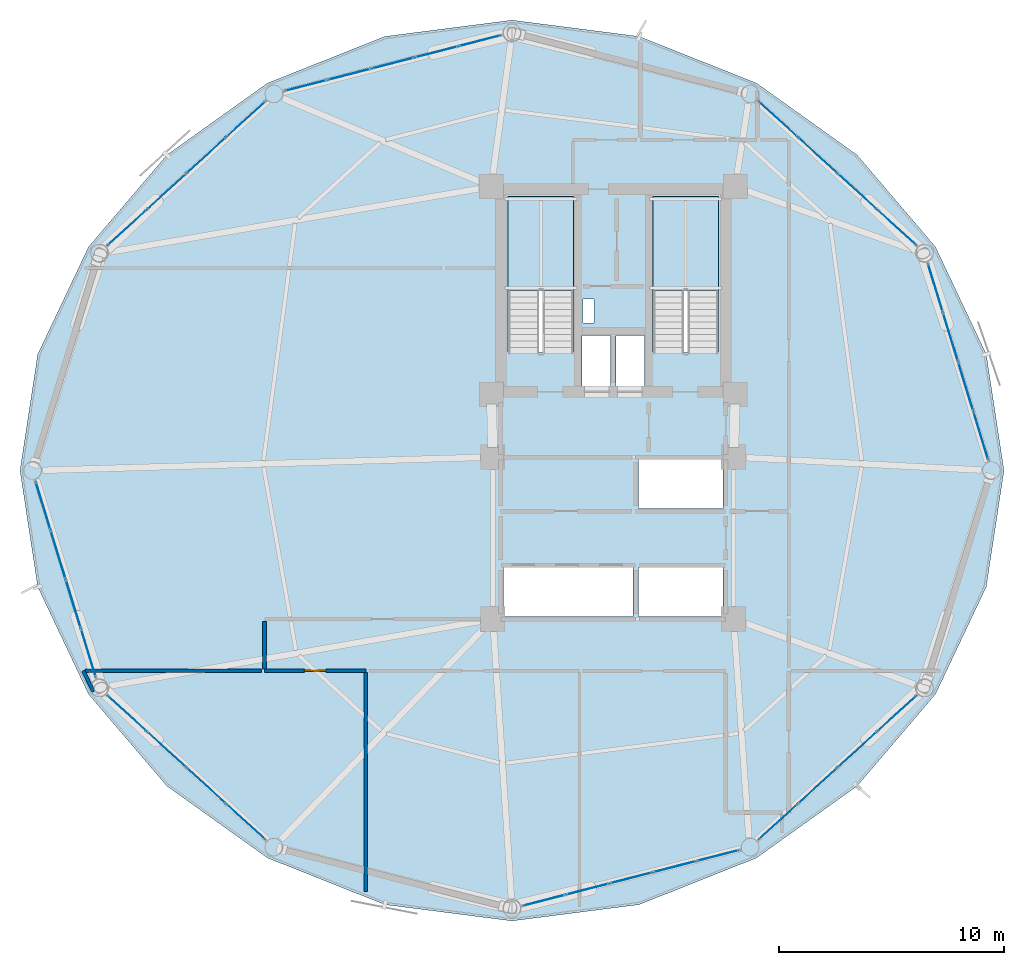
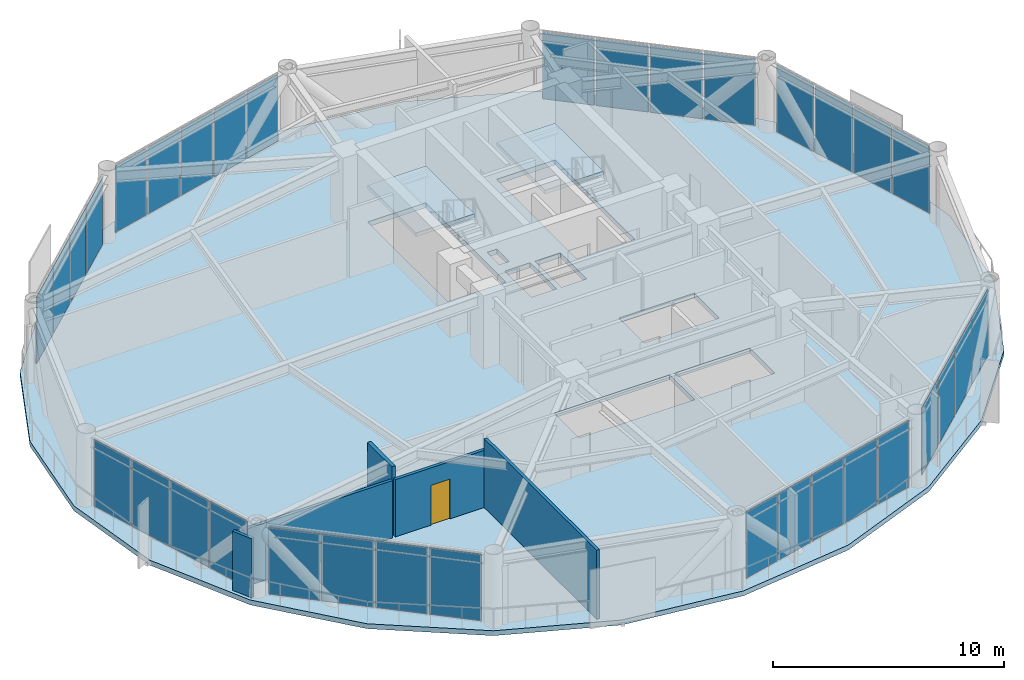
# One storey, part 19 of 24: 34 plates, 5 walls, 3 slabs, 1 door, 1 opening, 10 elements without a shape of their own.
"""IFC4 building model written with IfcOpenShell, lengths in metres."""

from ifc_helpers import new_model, si_unit, direction, frame, frame_2d, origin, origin_2d, place, context, subcontext, project, spatial, polyline, rectangle, outline, extrude, source, transform, mapped, material, layer, layer_set, type_object, type_shapes, element, fill, aggregate, save


model = new_model("IFC4")

# Units and contexts
model_context = context("Model", 3, precision=1e-05, world=origin(), true_north=direction((0.0, 1.0)))
body_context = subcontext(model_context, "Body", "Model", "MODEL_VIEW")
ifc_project = project(units=[si_unit("LENGTHUNIT", "METRE"), si_unit("AREAUNIT", "SQUARE_METRE"), si_unit("VOLUMEUNIT", "CUBIC_METRE"), si_unit("PLANEANGLEUNIT", "RADIAN"), si_unit("MASSUNIT", "GRAM", prefix="KILO")], contexts=[model_context])

# Site, building, storey
site_placement = place(None, origin())
site = spatial("IfcSite", under=ifc_project, at=site_placement, CompositionType="ELEMENT")
building_placement = place(site_placement, origin())
building = spatial("IfcBuilding", under=site, at=building_placement, Name="Varnakorn Sky Granary", CompositionType="ELEMENT")
storey_placement = place(building_placement, frame((0.0, 0.0, 118.800048828125)))
storey = spatial("IfcBuildingStorey", under=building, at=storey_placement, Name="L29", CompositionType="ELEMENT", Elevation=118.800048828125)

# Stair, slab
ifc_material_1 = material(Name="Concrete C40/50", Category="concrete")
stair_type = type_object("IfcStairType", Name="ST-MAIN-ASSEMBLY", PredefinedType="HALF_TURN_STAIR", material=ifc_material_1)
stair_1_placement = place(storey_placement, origin())
stair_1 = element("IfcStair", 1, at=stair_1_placement, inside=storey, type_object=stair_type, Name="L29 Protected Exit Stair ST-1", PredefinedType="HALF_TURN_STAIR")
ifc_layer_1 = layer(ifc_material_1, 0.199951171875, Name="Concrete C40/50")
ifc_layer_set_1 = layer_set([ifc_layer_1], Name="Concrete C40/50")
slab_type_1 = type_object("IfcSlabType", Name="ST-MAIN-LAND", PredefinedType="LANDING", material=ifc_layer_set_1)
slab_1_placement = place(storey_placement, frame((0.0, 0.0, 1.75)))
slab_1 = element("IfcSlab", 2, at=slab_1_placement, type_object=slab_type_1, Name="ST-1 landing 1", PredefinedType="LANDING", context=body_context, shape_type="SweptSolid", body=[
    extrude(outline(polyline([(1.239990234375, 8.0), (1.239990234375, 12.179931640625), (-1.669921875, 12.179931640625), (-1.669921875, 8.0), (1.239990234375, 8.0)])), origin(), (0.0, 0.0, 1.0), 0.199951171875),
])
aggregate(stair_1, [slab_1])

stair_2_placement = place(storey_placement, origin())
stair_2 = element("IfcStair", 3, at=stair_2_placement, inside=storey, type_object=stair_type, Name="L29 Protected Exit Stair ST-2", PredefinedType="HALF_TURN_STAIR")
slab_2_placement = place(storey_placement, frame((0.0, 0.0, 1.75)))
slab_2 = element("IfcSlab", 4, at=slab_2_placement, type_object=slab_type_1, Name="ST-2 landing 1", PredefinedType="LANDING", context=body_context, shape_type="SweptSolid", body=[
    extrude(outline(polyline([(7.679931640625, 8.0), (7.679931640625, 12.179931640625), (4.77001953125, 12.179931640625), (4.77001953125, 8.0), (7.679931640625, 8.0)])), origin(), (0.0, 0.0, 1.0), 0.199951171875),
])
aggregate(stair_2, [slab_2])

# Slab
ifc_material_2 = material(Name="Concrete C50/60", Category="concrete")
ifc_layer_2 = layer(ifc_material_2, 0.260009765625, Name="Concrete C50/60")
ifc_layer_set_2 = layer_set([ifc_layer_2], Name="Concrete C50/60")
slab_type_2 = type_object("IfcSlabType", Name="ST-SL-TWR-260", PredefinedType="FLOOR", material=ifc_layer_set_2)
slab_3_placement = place(storey_placement, frame((0.0, 0.0, -0.260009765625)))
element("IfcSlab", 5, at=slab_3_placement, inside=storey, type_object=slab_type_2, Name="Level L29 Structural Floor Slab", PredefinedType="FLOOR", context=body_context, shape_type="SweptSolid", body=[
    extrude(outline(polyline([(20.366943359375, 0.0), (19.578369140625, 5.169677734375), (17.320556640625, 9.94189453125), (13.8349609375, 14.0283203125), (9.365966796875, 17.219970703125), (4.14794921875, 19.29345703125), (-1.5, 20.01904296875), (-7.14794921875, 19.29345703125), (-12.365966796875, 17.219970703125), (-16.8349609375, 14.0283203125), (-20.320556640625, 9.94189453125), (-22.578369140625, 5.169677734375), (-23.366943359375, 0.0), (-22.578369140625, -5.169677734375), (-20.320556640625, -9.94189453125), (-16.8349609375, -14.0283203125), (-12.365966796875, -17.219970703125), (-7.14794921875, -19.29345703125), (-1.5, -20.01904296875), (4.14794921875, -19.29345703125), (9.365966796875, -17.219970703125), (13.8349609375, -14.0283203125), (17.320556640625, -9.94189453125), (19.578369140625, -5.169677734375), (20.366943359375, 0.0)]), holes=[polyline([(1.239990234375, 5.27490234375), (1.239990234375, 12.179931640625), (-1.669921875, 12.179931640625), (-1.669921875, 5.27490234375), (1.239990234375, 5.27490234375)]), polyline([(7.679931640625, 5.27490234375), (7.679931640625, 12.179931640625), (4.77001953125, 12.179931640625), (4.77001953125, 5.27490234375), (7.679931640625, 5.27490234375)]), polyline([(1.659912109375, 6.550048828125), (2.14990234375, 6.550048828125), (2.14990234375, 7.6201171875), (1.659912109375, 7.6201171875), (1.659912109375, 6.550048828125)]), polyline([(1.6201171875, 3.739990234375), (2.8798828125, 3.739990234375), (2.8798828125, 6.010009765625), (1.6201171875, 6.010009765625), (1.6201171875, 3.739990234375)]), polyline([(3.1201171875, 3.739990234375), (4.3798828125, 3.739990234375), (4.3798828125, 6.010009765625), (3.1201171875, 6.010009765625), (3.1201171875, 3.739990234375)]), polyline([(4.1201171875, -1.679931640625), (7.8798828125, -1.679931640625), (7.8798828125, 0.47998046875), (4.1201171875, 0.47998046875), (4.1201171875, -1.679931640625)]), polyline([(-1.8798828125, -6.47998046875), (3.8798828125, -6.47998046875), (3.8798828125, -4.320068359375), (-1.8798828125, -4.320068359375), (-1.8798828125, -6.47998046875)]), polyline([(4.1201171875, -6.47998046875), (7.8798828125, -6.47998046875), (7.8798828125, -4.320068359375), (4.1201171875, -4.320068359375), (4.1201171875, -6.47998046875)])]), origin(), (0.0, 0.0, 1.0), 0.260009765625),
])

# Curtain wall, plates
ifc_material_3 = material(Name="Anodised Bronze Aluminium Alloy 6063-T6", Category="aluminium")
ifc_layer_3 = layer(ifc_material_3, 0.179931640625, Name="Anodised Bronze Aluminium Alloy 6063-T6")
ifc_layer_set_3 = layer_set([ifc_layer_3], Name="Anodised Bronze Aluminium Alloy 6063-T6")
curtain_wall_type = type_object("IfcCurtainWallType", Name="CW-FRM-2", PredefinedType="USERDEFINED", material=ifc_layer_set_3)
curtain_wall_1_placement = place(storey_placement, origin())
curtain_wall_1 = element("IfcCurtainWall", 6, at=curtain_wall_1_placement, inside=storey, type_object=curtain_wall_type, Name="Unitised Curtain Wall CW4 CW-L29-B01", ObjectType="CURTAIN WALL", PredefinedType="USERDEFINED")
ifc_material_4 = material(Name="Opaque Insulated Aluminium Shadow-Box Unit", Category="aluminium")
ifc_layer_4 = layer(ifc_material_4, 0.02587890625, Name="Opaque Insulated Aluminium Shadow-Box Unit")
ifc_layer_set_4 = layer_set([ifc_layer_4], Name="Opaque Insulated Aluminium Shadow-Box Unit")
plate_type = type_object("IfcPlateType", Name="CW-FRM-2-PNL", PredefinedType="CURTAIN_PANEL")
shared_shape_1 = source(origin(), body_context, "Body", "SweptSolid", [
    extrude(rectangle(XDim=2.190185546875, YDim=0.02587890625, at=origin_2d()), origin(), (0.0, 0.0, 1.0), 3.510009765625),
])
plate_1_placement = place(storey_placement, frame((17.32373046875, 8.107421875, 0.06494140625), z_axis=(0.0, 0.0, 1.0), x_axis=(0.293940418116, -0.955823744525, 0.0)))
plate_1 = element("IfcPlate", 7, at=plate_1_placement, type_object=plate_type, material=ifc_layer_set_4, Name="CW4 opaque insulated shadow-box unit 1.1", PredefinedType="CURTAIN_PANEL", context=body_context, shape_type="MappedRepresentation", body=[
    mapped(shared_shape_1, transform((0.0, 0.0, 0.0), x_axis=(1.0, 0.0, 0.0), y_axis=(0.0, 1.0, 0.0), z_axis=(0.0, 0.0, 1.0), scale=1.0)),
])
ifc_material_5 = material(Name="Low-E Tinted Laminated Glass", Category="glass")
ifc_layer_5 = layer(ifc_material_5, 0.02587890625, Name="Low-E Tinted Laminated Glass")
ifc_layer_set_5 = layer_set([ifc_layer_5], Name="Low-E Tinted Laminated Glass")
plate_2_placement = place(storey_placement, frame((19.33740234375, 1.5595703125, 0.06494140625), z_axis=(0.0, 0.0, 1.0), x_axis=(0.293940418116, -0.955823744525, 0.0)))
plate_2 = element("IfcPlate", 8, at=plate_2_placement, type_object=plate_type, material=ifc_layer_set_5, Name="CW4 vision glazing unit 4.1", PredefinedType="CURTAIN_PANEL", context=body_context, shape_type="MappedRepresentation", body=[
    mapped(shared_shape_1, transform((0.0, 0.0, 0.0), x_axis=(1.0, 0.0, 0.0), y_axis=(0.0, 1.0, 0.0), z_axis=(0.0, 0.0, 1.0), scale=1.0)),
])

curtain_wall_2_placement = place(storey_placement, origin())
curtain_wall_2 = element("IfcCurtainWall", 9, at=curtain_wall_2_placement, inside=storey, type_object=curtain_wall_type, Name="Unitised Curtain Wall CW4 CW-L29-B07", ObjectType="CURTAIN WALL", PredefinedType="USERDEFINED")
plate_3_placement = place(storey_placement, frame((-20.32373046875, -8.107421875, 0.06494140625), z_axis=(0.0, 0.0, 1.0), x_axis=(-0.293940418116, 0.955823744525, 0.0)))
plate_3 = element("IfcPlate", 10, at=plate_3_placement, type_object=plate_type, material=ifc_layer_set_4, Name="CW4 opaque insulated shadow-box unit 1.1", PredefinedType="CURTAIN_PANEL", context=body_context, shape_type="MappedRepresentation", body=[
    mapped(shared_shape_1, transform((0.0, 0.0, 0.0), x_axis=(1.0, 0.0, 0.0), y_axis=(0.0, 1.0, 0.0), z_axis=(0.0, 0.0, 1.0), scale=1.0)),
])
plate_4_placement = place(storey_placement, frame((-22.33740234375, -1.5595703125, 0.06494140625), z_axis=(0.0, 0.0, 1.0), x_axis=(-0.293940418116, 0.955823744525, 0.0)))
plate_4 = element("IfcPlate", 11, at=plate_4_placement, type_object=plate_type, material=ifc_layer_set_5, Name="CW4 vision glazing unit 4.1", PredefinedType="CURTAIN_PANEL", context=body_context, shape_type="MappedRepresentation", body=[
    mapped(shared_shape_1, transform((0.0, 0.0, 0.0), x_axis=(1.0, 0.0, 0.0), y_axis=(0.0, 1.0, 0.0), z_axis=(0.0, 0.0, 1.0), scale=1.0)),
])

# Plate
shared_shape_2 = source(origin(), body_context, "Body", "SweptSolid", [
    extrude(rectangle(XDim=2.22509765625, YDim=0.02587890625, at=origin_2d()), origin(), (0.0, 0.0, 1.0), 3.510009765625),
])
plate_5_placement = place(storey_placement, frame((17.9931640625, 5.930419921875, 0.06494140625), z_axis=(0.0, 0.0, 1.0), x_axis=(0.293940418116, -0.955823744525, 0.0)))
plate_5 = element("IfcPlate", 12, at=plate_5_placement, type_object=plate_type, material=ifc_layer_set_4, Name="CW4 opaque insulated shadow-box unit 2.1", PredefinedType="CURTAIN_PANEL", context=body_context, shape_type="MappedRepresentation", body=[
    mapped(shared_shape_2, transform((0.0, 0.0, 0.0), x_axis=(1.0, 0.0, 0.0), y_axis=(0.0, 1.0, 0.0), z_axis=(0.0, 0.0, 1.0), scale=1.0)),
])

plate_6_placement = place(storey_placement, frame((18.66796875, 3.736572265625, 0.06494140625), z_axis=(0.0, 0.0, 1.0), x_axis=(0.293940418116, -0.955823744525, 0.0)))
plate_6 = element("IfcPlate", 13, at=plate_6_placement, type_object=plate_type, material=ifc_layer_set_5, Name="CW4 vision glazing unit 3.1", PredefinedType="CURTAIN_PANEL", context=body_context, shape_type="MappedRepresentation", body=[
    mapped(shared_shape_2, transform((0.0, 0.0, 0.0), x_axis=(1.0, 0.0, 0.0), y_axis=(0.0, 1.0, 0.0), z_axis=(0.0, 0.0, 1.0), scale=1.0)),
])

aggregate(curtain_wall_1, [plate_1, plate_5, plate_6, plate_2])

plate_7_placement = place(storey_placement, frame((-20.9931640625, -5.930419921875, 0.06494140625), z_axis=(0.0, 0.0, 1.0), x_axis=(-0.293940418116, 0.955823744525, 0.0)))
plate_7 = element("IfcPlate", 14, at=plate_7_placement, type_object=plate_type, material=ifc_layer_set_4, Name="CW4 opaque insulated shadow-box unit 2.1", PredefinedType="CURTAIN_PANEL", context=body_context, shape_type="MappedRepresentation", body=[
    mapped(shared_shape_2, transform((0.0, 0.0, 0.0), x_axis=(1.0, 0.0, 0.0), y_axis=(0.0, 1.0, 0.0), z_axis=(0.0, 0.0, 1.0), scale=1.0)),
])

plate_8_placement = place(storey_placement, frame((-21.66796875, -3.736572265625, 0.06494140625), z_axis=(0.0, 0.0, 1.0), x_axis=(-0.293940418116, 0.955823744525, 0.0)))
plate_8 = element("IfcPlate", 15, at=plate_8_placement, type_object=plate_type, material=ifc_layer_set_5, Name="CW4 vision glazing unit 3.1", PredefinedType="CURTAIN_PANEL", context=body_context, shape_type="MappedRepresentation", body=[
    mapped(shared_shape_2, transform((0.0, 0.0, 0.0), x_axis=(1.0, 0.0, 0.0), y_axis=(0.0, 1.0, 0.0), z_axis=(0.0, 0.0, 1.0), scale=1.0)),
])

aggregate(curtain_wall_2, [plate_3, plate_7, plate_8, plate_4])

# Curtain wall, plates
curtain_wall_3_placement = place(storey_placement, origin())
curtain_wall_3 = element("IfcCurtainWall", 16, at=curtain_wall_3_placement, inside=storey, type_object=curtain_wall_type, Name="Unitised Curtain Wall CW4 CW-L29-B02", ObjectType="CURTAIN WALL", PredefinedType="USERDEFINED")
shared_shape_3 = source(origin(), body_context, "Body", "SweptSolid", [
    extrude(rectangle(XDim=2.2861328125, YDim=0.02587890625, at=origin_2d()), origin(), (0.0, 0.0, 1.0), 3.510009765625),
])
plate_9_placement = place(storey_placement, frame((10.33154296875, 15.611328125, 0.06494140625), z_axis=(0.0, 0.0, 1.0), x_axis=(0.738591648003, -0.674153081651, 0.0)))
plate_9 = element("IfcPlate", 17, at=plate_9_placement, type_object=plate_type, material=ifc_layer_set_5, Name="CW4 vision glazing unit 1.1", PredefinedType="CURTAIN_PANEL", context=body_context, shape_type="MappedRepresentation", body=[
    mapped(shared_shape_3, transform((0.0, 0.0, 0.0), x_axis=(1.0, 0.0, 0.0), y_axis=(0.0, 1.0, 0.0), z_axis=(0.0, 0.0, 1.0), scale=1.0)),
])
plate_10_placement = place(storey_placement, frame((15.603759765625, 10.79931640625, 0.06494140625), z_axis=(0.0, 0.0, 1.0), x_axis=(0.738591648003, -0.674153081651, 0.0)))
plate_10 = element("IfcPlate", 18, at=plate_10_placement, type_object=plate_type, material=ifc_layer_set_4, Name="CW4 opaque insulated shadow-box unit 4.1", PredefinedType="CURTAIN_PANEL", context=body_context, shape_type="MappedRepresentation", body=[
    mapped(shared_shape_3, transform((0.0, 0.0, 0.0), x_axis=(1.0, 0.0, 0.0), y_axis=(0.0, 1.0, 0.0), z_axis=(0.0, 0.0, 1.0), scale=1.0)),
])

curtain_wall_4_placement = place(storey_placement, origin())
curtain_wall_4 = element("IfcCurtainWall", 19, at=curtain_wall_4_placement, inside=storey, type_object=curtain_wall_type, Name="Unitised Curtain Wall CW4 CW-L29-B05", ObjectType="CURTAIN WALL", PredefinedType="USERDEFINED")
plate_11_placement = place(storey_placement, frame((-18.603759765625, 10.79931640625, 0.06494140625), z_axis=(0.0, 0.0, 1.0), x_axis=(0.738591648003, 0.674153081651, 0.0)))
plate_11 = element("IfcPlate", 20, at=plate_11_placement, type_object=plate_type, material=ifc_layer_set_4, Name="CW4 opaque insulated shadow-box unit 1.1", PredefinedType="CURTAIN_PANEL", context=body_context, shape_type="MappedRepresentation", body=[
    mapped(shared_shape_3, transform((0.0, 0.0, 0.0), x_axis=(1.0, 0.0, 0.0), y_axis=(0.0, 1.0, 0.0), z_axis=(0.0, 0.0, 1.0), scale=1.0)),
])
plate_12_placement = place(storey_placement, frame((-13.33154296875, 15.611328125, 0.06494140625), z_axis=(0.0, 0.0, 1.0), x_axis=(0.738591648003, 0.674153081651, 0.0)))
plate_12 = element("IfcPlate", 21, at=plate_12_placement, type_object=plate_type, material=ifc_layer_set_5, Name="CW4 vision glazing unit 4.1", PredefinedType="CURTAIN_PANEL", context=body_context, shape_type="MappedRepresentation", body=[
    mapped(shared_shape_3, transform((0.0, 0.0, 0.0), x_axis=(1.0, 0.0, 0.0), y_axis=(0.0, 1.0, 0.0), z_axis=(0.0, 0.0, 1.0), scale=1.0)),
])

curtain_wall_5_placement = place(storey_placement, origin())
curtain_wall_5 = element("IfcCurtainWall", 22, at=curtain_wall_5_placement, inside=storey, type_object=curtain_wall_type, Name="Unitised Curtain Wall CW4 CW-L29-B08", ObjectType="CURTAIN WALL", PredefinedType="USERDEFINED")
plate_13_placement = place(storey_placement, frame((-13.33154296875, -15.611328125, 0.06494140625), z_axis=(0.0, 0.0, 1.0), x_axis=(-0.738591648003, 0.674153081651, 0.0)))
plate_13 = element("IfcPlate", 23, at=plate_13_placement, type_object=plate_type, material=ifc_layer_set_5, Name="CW4 vision glazing unit 1.1", PredefinedType="CURTAIN_PANEL", context=body_context, shape_type="MappedRepresentation", body=[
    mapped(shared_shape_3, transform((0.0, 0.0, 0.0), x_axis=(1.0, 0.0, 0.0), y_axis=(0.0, 1.0, 0.0), z_axis=(0.0, 0.0, 1.0), scale=1.0)),
])
plate_14_placement = place(storey_placement, frame((-18.603759765625, -10.79931640625, 0.06494140625), z_axis=(0.0, 0.0, 1.0), x_axis=(-0.738591648003, 0.674153081651, 0.0)))
plate_14 = element("IfcPlate", 24, at=plate_14_placement, type_object=plate_type, material=ifc_layer_set_4, Name="CW4 opaque insulated shadow-box unit 4.1", PredefinedType="CURTAIN_PANEL", context=body_context, shape_type="MappedRepresentation", body=[
    mapped(shared_shape_3, transform((0.0, 0.0, 0.0), x_axis=(1.0, 0.0, 0.0), y_axis=(0.0, 1.0, 0.0), z_axis=(0.0, 0.0, 1.0), scale=1.0)),
])

curtain_wall_6_placement = place(storey_placement, origin())
curtain_wall_6 = element("IfcCurtainWall", 25, at=curtain_wall_6_placement, inside=storey, type_object=curtain_wall_type, Name="Unitised Curtain Wall CW4 CW-L29-B11", ObjectType="CURTAIN WALL", PredefinedType="USERDEFINED")
plate_15_placement = place(storey_placement, frame((15.603759765625, -10.79931640625, 0.06494140625), z_axis=(0.0, 0.0, 1.0), x_axis=(-0.738591648003, -0.674153081651, 0.0)))
plate_15 = element("IfcPlate", 26, at=plate_15_placement, type_object=plate_type, material=ifc_layer_set_4, Name="CW4 opaque insulated shadow-box unit 1.1", PredefinedType="CURTAIN_PANEL", context=body_context, shape_type="MappedRepresentation", body=[
    mapped(shared_shape_3, transform((0.0, 0.0, 0.0), x_axis=(1.0, 0.0, 0.0), y_axis=(0.0, 1.0, 0.0), z_axis=(0.0, 0.0, 1.0), scale=1.0)),
])
plate_16_placement = place(storey_placement, frame((10.33154296875, -15.611328125, 0.06494140625), z_axis=(0.0, 0.0, 1.0), x_axis=(-0.738591648003, -0.674153081651, 0.0)))
plate_16 = element("IfcPlate", 27, at=plate_16_placement, type_object=plate_type, material=ifc_layer_set_5, Name="CW4 vision glazing unit 4.1", PredefinedType="CURTAIN_PANEL", context=body_context, shape_type="MappedRepresentation", body=[
    mapped(shared_shape_3, transform((0.0, 0.0, 0.0), x_axis=(1.0, 0.0, 0.0), y_axis=(0.0, 1.0, 0.0), z_axis=(0.0, 0.0, 1.0), scale=1.0)),
])

# Plate
shared_shape_4 = source(origin(), body_context, "Body", "SweptSolid", [
    extrude(rectangle(XDim=2.321044921875, YDim=0.02587890625, at=origin_2d()), origin(), (0.0, 0.0, 1.0), 3.510009765625),
])
plate_17_placement = place(storey_placement, frame((12.084716796875, 14.01123046875, 0.06494140625), z_axis=(0.0, 0.0, 1.0), x_axis=(0.738591648003, -0.674153081651, 0.0)))
plate_17 = element("IfcPlate", 28, at=plate_17_placement, type_object=plate_type, material=ifc_layer_set_5, Name="CW4 vision glazing unit 2.1", PredefinedType="CURTAIN_PANEL", context=body_context, shape_type="MappedRepresentation", body=[
    mapped(shared_shape_4, transform((0.0, 0.0, 0.0), x_axis=(1.0, 0.0, 0.0), y_axis=(0.0, 1.0, 0.0), z_axis=(0.0, 0.0, 1.0), scale=1.0)),
])

plate_18_placement = place(storey_placement, frame((13.8505859375, 12.3994140625, 0.06494140625), z_axis=(0.0, 0.0, 1.0), x_axis=(0.738591648003, -0.674153081651, 0.0)))
plate_18 = element("IfcPlate", 29, at=plate_18_placement, type_object=plate_type, material=ifc_layer_set_4, Name="CW4 opaque insulated shadow-box unit 3.1", PredefinedType="CURTAIN_PANEL", context=body_context, shape_type="MappedRepresentation", body=[
    mapped(shared_shape_4, transform((0.0, 0.0, 0.0), x_axis=(1.0, 0.0, 0.0), y_axis=(0.0, 1.0, 0.0), z_axis=(0.0, 0.0, 1.0), scale=1.0)),
])

aggregate(curtain_wall_3, [plate_9, plate_17, plate_18, plate_10])

plate_19_placement = place(storey_placement, frame((-16.8505859375, 12.3994140625, 0.06494140625), z_axis=(0.0, 0.0, 1.0), x_axis=(0.738591648003, 0.674153081651, 0.0)))
plate_19 = element("IfcPlate", 30, at=plate_19_placement, type_object=plate_type, material=ifc_layer_set_4, Name="CW4 opaque insulated shadow-box unit 2.1", PredefinedType="CURTAIN_PANEL", context=body_context, shape_type="MappedRepresentation", body=[
    mapped(shared_shape_4, transform((0.0, 0.0, 0.0), x_axis=(1.0, 0.0, 0.0), y_axis=(0.0, 1.0, 0.0), z_axis=(0.0, 0.0, 1.0), scale=1.0)),
])

plate_20_placement = place(storey_placement, frame((-15.084716796875, 14.01123046875, 0.06494140625), z_axis=(0.0, 0.0, 1.0), x_axis=(0.738591648003, 0.674153081651, 0.0)))
plate_20 = element("IfcPlate", 31, at=plate_20_placement, type_object=plate_type, material=ifc_layer_set_5, Name="CW4 vision glazing unit 3.1", PredefinedType="CURTAIN_PANEL", context=body_context, shape_type="MappedRepresentation", body=[
    mapped(shared_shape_4, transform((0.0, 0.0, 0.0), x_axis=(1.0, 0.0, 0.0), y_axis=(0.0, 1.0, 0.0), z_axis=(0.0, 0.0, 1.0), scale=1.0)),
])

aggregate(curtain_wall_4, [plate_11, plate_19, plate_20, plate_12])

plate_21_placement = place(storey_placement, frame((-15.084716796875, -14.01123046875, 0.06494140625), z_axis=(0.0, 0.0, 1.0), x_axis=(-0.738591648003, 0.674153081651, 0.0)))
plate_21 = element("IfcPlate", 32, at=plate_21_placement, type_object=plate_type, material=ifc_layer_set_5, Name="CW4 vision glazing unit 2.1", PredefinedType="CURTAIN_PANEL", context=body_context, shape_type="MappedRepresentation", body=[
    mapped(shared_shape_4, transform((0.0, 0.0, 0.0), x_axis=(1.0, 0.0, 0.0), y_axis=(0.0, 1.0, 0.0), z_axis=(0.0, 0.0, 1.0), scale=1.0)),
])

plate_22_placement = place(storey_placement, frame((-16.8505859375, -12.3994140625, 0.06494140625), z_axis=(0.0, 0.0, 1.0), x_axis=(-0.738591648003, 0.674153081651, 0.0)))
plate_22 = element("IfcPlate", 33, at=plate_22_placement, type_object=plate_type, material=ifc_layer_set_4, Name="CW4 opaque insulated shadow-box unit 3.1", PredefinedType="CURTAIN_PANEL", context=body_context, shape_type="MappedRepresentation", body=[
    mapped(shared_shape_4, transform((0.0, 0.0, 0.0), x_axis=(1.0, 0.0, 0.0), y_axis=(0.0, 1.0, 0.0), z_axis=(0.0, 0.0, 1.0), scale=1.0)),
])

aggregate(curtain_wall_5, [plate_13, plate_21, plate_22, plate_14])

plate_23_placement = place(storey_placement, frame((13.8505859375, -12.3994140625, 0.06494140625), z_axis=(0.0, 0.0, 1.0), x_axis=(-0.738591648003, -0.674153081651, 0.0)))
plate_23 = element("IfcPlate", 34, at=plate_23_placement, type_object=plate_type, material=ifc_layer_set_4, Name="CW4 opaque insulated shadow-box unit 2.1", PredefinedType="CURTAIN_PANEL", context=body_context, shape_type="MappedRepresentation", body=[
    mapped(shared_shape_4, transform((0.0, 0.0, 0.0), x_axis=(1.0, 0.0, 0.0), y_axis=(0.0, 1.0, 0.0), z_axis=(0.0, 0.0, 1.0), scale=1.0)),
])

plate_24_placement = place(storey_placement, frame((12.084716796875, -14.01123046875, 0.06494140625), z_axis=(0.0, 0.0, 1.0), x_axis=(-0.738591648003, -0.674153081651, 0.0)))
plate_24 = element("IfcPlate", 35, at=plate_24_placement, type_object=plate_type, material=ifc_layer_set_5, Name="CW4 vision glazing unit 3.1", PredefinedType="CURTAIN_PANEL", context=body_context, shape_type="MappedRepresentation", body=[
    mapped(shared_shape_4, transform((0.0, 0.0, 0.0), x_axis=(1.0, 0.0, 0.0), y_axis=(0.0, 1.0, 0.0), z_axis=(0.0, 0.0, 1.0), scale=1.0)),
])

aggregate(curtain_wall_6, [plate_15, plate_23, plate_24, plate_16])

# Curtain wall, plates
curtain_wall_7_placement = place(storey_placement, origin())
curtain_wall_7 = element("IfcCurtainWall", 36, at=curtain_wall_7_placement, inside=storey, type_object=curtain_wall_type, Name="Unitised Curtain Wall CW4 CW-L29-B04", ObjectType="CURTAIN WALL", PredefinedType="USERDEFINED")
shared_shape_5 = source(origin(), body_context, "Body", "SweptSolid", [
    extrude(rectangle(XDim=1.8955078125, YDim=0.02587890625, at=origin_2d()), origin(), (0.0, 0.0, 1.0), 3.510009765625),
])
plate_25_placement = place(storey_placement, frame((-10.653564453125, 17.113525390625, 0.06494140625), z_axis=(0.0, 0.0, 1.0), x_axis=(0.968453031534, 0.249196159106, 0.0)))
plate_25 = element("IfcPlate", 37, at=plate_25_placement, type_object=plate_type, material=ifc_layer_set_5, Name="CW4 vision glazing unit 1.1", PredefinedType="CURTAIN_PANEL", context=body_context, shape_type="MappedRepresentation", body=[
    mapped(shared_shape_5, transform((0.0, 0.0, 0.0), x_axis=(1.0, 0.0, 0.0), y_axis=(0.0, 1.0, 0.0), z_axis=(0.0, 0.0, 1.0), scale=1.0)),
])
plate_26_placement = place(storey_placement, frame((-2.9375, 19.09912109375, 0.06494140625), z_axis=(0.0, 0.0, 1.0), x_axis=(0.968453031534, 0.249196159106, 0.0)))
plate_26 = element("IfcPlate", 38, at=plate_26_placement, type_object=plate_type, material=ifc_layer_set_4, Name="CW4 opaque insulated shadow-box unit 5.1", PredefinedType="CURTAIN_PANEL", context=body_context, shape_type="MappedRepresentation", body=[
    mapped(shared_shape_5, transform((0.0, 0.0, 0.0), x_axis=(1.0, 0.0, 0.0), y_axis=(0.0, 1.0, 0.0), z_axis=(0.0, 0.0, 1.0), scale=1.0)),
])

curtain_wall_8_placement = place(storey_placement, origin())
curtain_wall_8 = element("IfcCurtainWall", 39, at=curtain_wall_8_placement, inside=storey, type_object=curtain_wall_type, Name="Unitised Curtain Wall CW4 CW-L29-B10", ObjectType="CURTAIN WALL", PredefinedType="USERDEFINED")
plate_27_placement = place(storey_placement, frame((7.653564453125, -17.113525390625, 0.06494140625), z_axis=(0.0, 0.0, 1.0), x_axis=(-0.968453031534, -0.249196159106, 0.0)))
plate_27 = element("IfcPlate", 40, at=plate_27_placement, type_object=plate_type, material=ifc_layer_set_5, Name="CW4 vision glazing unit 1.1", PredefinedType="CURTAIN_PANEL", context=body_context, shape_type="MappedRepresentation", body=[
    mapped(shared_shape_5, transform((0.0, 0.0, 0.0), x_axis=(1.0, 0.0, 0.0), y_axis=(0.0, 1.0, 0.0), z_axis=(0.0, 0.0, 1.0), scale=1.0)),
])
plate_28_placement = place(storey_placement, frame((-0.0625, -19.09912109375, 0.06494140625), z_axis=(0.0, 0.0, 1.0), x_axis=(-0.968453031534, -0.249196159106, 0.0)))
plate_28 = element("IfcPlate", 41, at=plate_28_placement, type_object=plate_type, material=ifc_layer_set_4, Name="CW4 opaque insulated shadow-box unit 5.1", PredefinedType="CURTAIN_PANEL", context=body_context, shape_type="MappedRepresentation", body=[
    mapped(shared_shape_5, transform((0.0, 0.0, 0.0), x_axis=(1.0, 0.0, 0.0), y_axis=(0.0, 1.0, 0.0), z_axis=(0.0, 0.0, 1.0), scale=1.0)),
])

# Plate
shared_shape_6 = source(origin(), body_context, "Body", "SweptSolid", [
    extrude(rectangle(XDim=1.9306640625, YDim=0.02587890625, at=origin_2d()), origin(), (0.0, 0.0, 1.0), 3.510009765625),
])
type_shapes(plate_type, [shared_shape_1, shared_shape_2, shared_shape_3, shared_shape_4, shared_shape_5, shared_shape_6])
plate_29_placement = place(storey_placement, frame((-8.73291015625, 17.60791015625, 0.06494140625), z_axis=(0.0, 0.0, 1.0), x_axis=(0.968453031534, 0.249196159106, 0.0)))
plate_29 = element("IfcPlate", 42, at=plate_29_placement, type_object=plate_type, material=ifc_layer_set_5, Name="CW4 vision glazing unit 2.1", PredefinedType="CURTAIN_PANEL", context=body_context, shape_type="MappedRepresentation", body=[
    mapped(shared_shape_6, transform((0.0, 0.0, 0.0), x_axis=(1.0, 0.0, 0.0), y_axis=(0.0, 1.0, 0.0), z_axis=(0.0, 0.0, 1.0), scale=1.0)),
])

plate_30_placement = place(storey_placement, frame((-6.79541015625, 18.1064453125, 0.06494140625), z_axis=(0.0, 0.0, 1.0), x_axis=(0.968453031534, 0.249196159106, 0.0)))
plate_30 = element("IfcPlate", 43, at=plate_30_placement, type_object=plate_type, material=ifc_layer_set_5, Name="CW4 vision glazing unit 3.1", PredefinedType="CURTAIN_PANEL", context=body_context, shape_type="MappedRepresentation", body=[
    mapped(shared_shape_6, transform((0.0, 0.0, 0.0), x_axis=(1.0, 0.0, 0.0), y_axis=(0.0, 1.0, 0.0), z_axis=(0.0, 0.0, 1.0), scale=1.0)),
])

plate_31_placement = place(storey_placement, frame((-4.85791015625, 18.60498046875, 0.06494140625), z_axis=(0.0, 0.0, 1.0), x_axis=(0.968453031534, 0.249196159106, 0.0)))
plate_31 = element("IfcPlate", 44, at=plate_31_placement, type_object=plate_type, material=ifc_layer_set_4, Name="CW4 opaque insulated shadow-box unit 4.1", PredefinedType="CURTAIN_PANEL", context=body_context, shape_type="MappedRepresentation", body=[
    mapped(shared_shape_6, transform((0.0, 0.0, 0.0), x_axis=(1.0, 0.0, 0.0), y_axis=(0.0, 1.0, 0.0), z_axis=(0.0, 0.0, 1.0), scale=1.0)),
])

aggregate(curtain_wall_7, [plate_25, plate_29, plate_30, plate_31, plate_26])

plate_32_placement = place(storey_placement, frame((5.73291015625, -17.60791015625, 0.06494140625), z_axis=(0.0, 0.0, 1.0), x_axis=(-0.968453031534, -0.249196159106, 0.0)))
plate_32 = element("IfcPlate", 45, at=plate_32_placement, type_object=plate_type, material=ifc_layer_set_5, Name="CW4 vision glazing unit 2.1", PredefinedType="CURTAIN_PANEL", context=body_context, shape_type="MappedRepresentation", body=[
    mapped(shared_shape_6, transform((0.0, 0.0, 0.0), x_axis=(1.0, 0.0, 0.0), y_axis=(0.0, 1.0, 0.0), z_axis=(0.0, 0.0, 1.0), scale=1.0)),
])

plate_33_placement = place(storey_placement, frame((3.79541015625, -18.1064453125, 0.06494140625), z_axis=(0.0, 0.0, 1.0), x_axis=(-0.968453031534, -0.249196159106, 0.0)))
plate_33 = element("IfcPlate", 46, at=plate_33_placement, type_object=plate_type, material=ifc_layer_set_5, Name="CW4 vision glazing unit 3.1", PredefinedType="CURTAIN_PANEL", context=body_context, shape_type="MappedRepresentation", body=[
    mapped(shared_shape_6, transform((0.0, 0.0, 0.0), x_axis=(1.0, 0.0, 0.0), y_axis=(0.0, 1.0, 0.0), z_axis=(0.0, 0.0, 1.0), scale=1.0)),
])

plate_34_placement = place(storey_placement, frame((1.85791015625, -18.60498046875, 0.06494140625), z_axis=(0.0, 0.0, 1.0), x_axis=(-0.968453031534, -0.249196159106, 0.0)))
plate_34 = element("IfcPlate", 47, at=plate_34_placement, type_object=plate_type, material=ifc_layer_set_4, Name="CW4 opaque insulated shadow-box unit 4.1", PredefinedType="CURTAIN_PANEL", context=body_context, shape_type="MappedRepresentation", body=[
    mapped(shared_shape_6, transform((0.0, 0.0, 0.0), x_axis=(1.0, 0.0, 0.0), y_axis=(0.0, 1.0, 0.0), z_axis=(0.0, 0.0, 1.0), scale=1.0)),
])

aggregate(curtain_wall_8, [plate_27, plate_32, plate_33, plate_34, plate_28])

# Wall, opening, door
ifc_material_6 = material(Name="Gypsum Plasterboard on Steel Stud", Category="steel")
ifc_layer_6 = layer(ifc_material_6, 0.14990234375, Name="Gypsum Plasterboard on Steel Stud")
ifc_layer_set_6 = layer_set([ifc_layer_6], Name="Gypsum Plasterboard on Steel Stud")
wall_type_1 = type_object("IfcWallType", Name="WT-PART-150", PredefinedType="PARTITIONING", material=ifc_layer_set_6)
wall_1_placement = place(storey_placement, frame((-12.5, -8.89990234375, 0.0), z_axis=(0.0, 0.0, 1.0), x_axis=(1.0, 0.0, 0.0)))
wall_1 = element("IfcWall", 48, at=wall_1_placement, inside=storey, type_object=wall_type_1, Name="Interior Partition Wall L29-021", PredefinedType="PARTITIONING", context=body_context, shape_type="SweptSolid", body=[
    extrude(rectangle(XDim=4.5, YDim=0.14990234375, at=frame_2d((2.25, 0.0))), origin(), (0.0, 0.0, 1.0), 3.02197265625),
])
opening_placement = place(wall_1_placement, frame((1.77490234375, 0.0, 0.0)))
opening = element("IfcOpeningElement", 49, at=opening_placement, cuts=wall_1, Name="Opening ID-95", PredefinedType="OPENING", context=body_context, shape_type="SweptSolid", body=[
    extrude(rectangle(XDim=0.949951171875, YDim=2.10009765625, at=frame_2d((0.47509765625, 1.050048828125))), frame((0.0, 0.0849609375, 0.0), z_axis=(0.0, -1.0, 0.0), x_axis=(1.0, 0.0, 0.0)), (0.0, 0.0, 1.0), 0.169921875),
])
ifc_material_7 = material(Name="Solid-Core Teak Veneer Leaf", Category="timber")
door_type = type_object("IfcDoorType", Name="DR-INT-950", OperationType="NOTDEFINED", PredefinedType="DOOR", material=ifc_material_7)
door_placement = place(opening_placement, origin())
door = element("IfcDoor", 50, at=door_placement, inside=storey, type_object=door_type, Name="Interior Door L29-021-1", OperationType="SINGLE_SWING_RIGHT", OverallHeight=2.10009765625, OverallWidth=0.949951171875, PredefinedType="DOOR", context=body_context, shape_type="SweptSolid", body=[
    extrude(rectangle(XDim=0.949951171875, YDim=2.10009765625, at=frame_2d((0.47509765625, 1.050048828125))), frame((0.0, 0.02490234375, 0.0), z_axis=(0.0, -1.0, 0.0), x_axis=(1.0, 0.0, 0.0)), (0.0, 0.0, 1.0), 0.050048828125),
])
fill(opening, door)

# Walls
wall_2_placement = place(storey_placement, frame((-8.0, -8.985107421875, 0.0), z_axis=(0.0, 0.0, 1.0), x_axis=(0.0, -1.0, 0.0)))
element("IfcWall", 51, at=wall_2_placement, inside=storey, type_object=wall_type_1, Name="Interior Partition Wall L29-033", PredefinedType="PARTITIONING", context=body_context, shape_type="SweptSolid", body=[
    extrude(rectangle(XDim=9.7138671875, YDim=0.14990234375, at=frame_2d((4.85693359375, 0.0))), origin(), (0.0, 0.0, 1.0), 3.639892578125),
])
wall_3_placement = place(storey_placement, frame((-20.113037109375, -9.822021484375, 0.0), z_axis=(0.0, 0.0, 1.0), x_axis=(-0.427479208759, 0.904025180002, 0.0)))
element("IfcWall", 52, at=wall_3_placement, inside=storey, type_object=wall_type_1, Name="Interior Partition Wall L29-034", PredefinedType="PARTITIONING", context=body_context, shape_type="SweptSolid", body=[
    extrude(rectangle(XDim=1.02001953125, YDim=0.14990234375, at=frame_2d((0.510009765625, 0.0))), origin(), (0.0, 0.0, 1.0), 3.1220703125),
])
wall_4_placement = place(storey_placement, frame((-20.464111328125, -8.89990234375, 0.0), z_axis=(0.0, 0.0, 1.0), x_axis=(1.0, 0.0, 0.0)))
element("IfcWall", 53, at=wall_4_placement, inside=storey, type_object=wall_type_1, Name="Interior Partition Wall L29-035", PredefinedType="PARTITIONING", context=body_context, shape_type="SweptSolid", body=[
    extrude(rectangle(XDim=7.8291015625, YDim=0.14990234375, at=frame_2d((3.91455078125, 0.0))), origin(), (0.0, 0.0, 1.0), 3.02197265625),
])
ifc_material_8 = material(Name="Moisture-Resistant Gypsum on Stud", Category="gypsum")
ifc_layer_7 = layer(ifc_material_8, 0.179931640625, Name="Moisture-Resistant Gypsum on Stud")
ifc_layer_set_7 = layer_set([ifc_layer_7], Name="Moisture-Resistant Gypsum on Stud")
wall_type_2 = type_object("IfcWallType", Name="WT-PLUMB-180", PredefinedType="PLUMBINGWALL", material=ifc_layer_set_7)
wall_5_placement = place(storey_placement, frame((-12.5, -6.699951171875, 0.0), z_axis=(0.0, 0.0, 1.0), x_axis=(0.0, -1.0, 0.0)))
element("IfcWall", 54, at=wall_5_placement, inside=storey, type_object=wall_type_2, Name="Interior Partition Wall L29-041", PredefinedType="PLUMBINGWALL", context=body_context, shape_type="SweptSolid", body=[
    extrude(rectangle(XDim=2.114990234375, YDim=0.179931640625, at=frame_2d((1.0576171875, 0.0))), origin(), (0.0, 0.0, 1.0), 3.639892578125),
])

save(model, "model.ifc")
